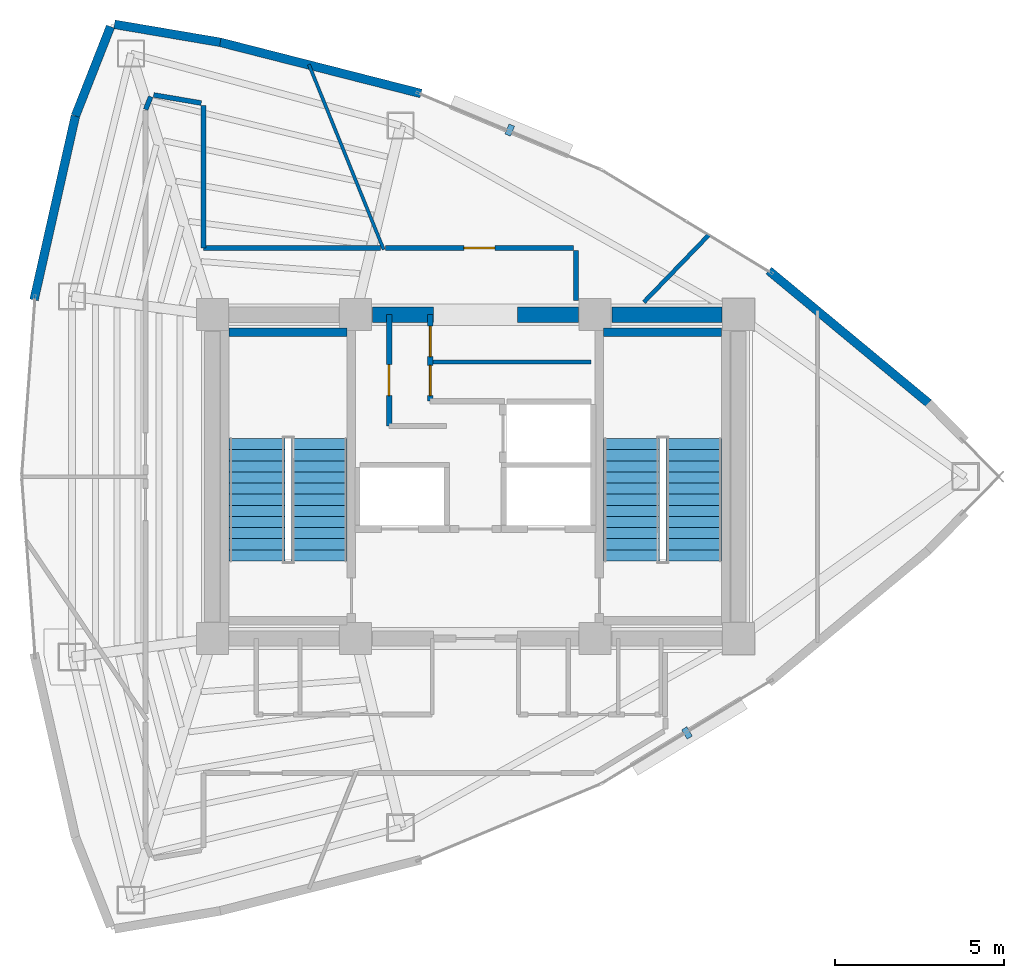
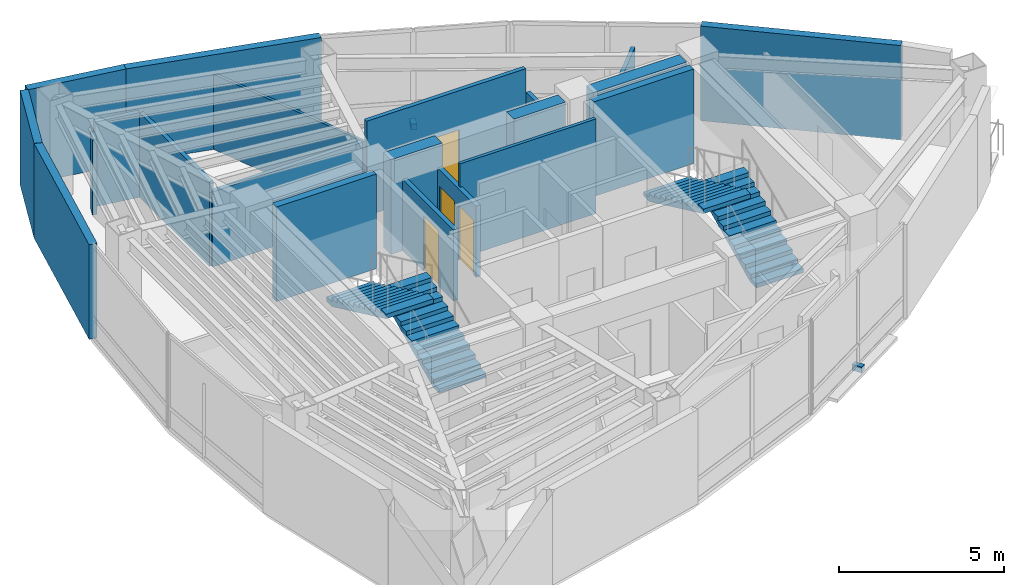
# One storey, part 13 of 15: 21 walls, 4 doors, 4 stair flights, 2 discrete accessories, 4 openings, 2 elements without a shape of their own.
"""IFC4 building model written with IfcOpenShell, lengths in metres."""

from ifc_helpers import new_model, si_unit, direction, frame, frame_2d, origin, origin_2d, place, context, subcontext, project, spatial, polyline, rectangle, outline, extrude, material, layer, layer_set, type_object, element, fill, aggregate, save


model = new_model("IFC4")

# Units and contexts
model_context = context("Model", 3, precision=1e-05, world=origin(), true_north=direction((0.0, 1.0)))
body_context = subcontext(model_context, "Body", "Model", "MODEL_VIEW")
ifc_project = project(units=[si_unit("LENGTHUNIT", "METRE"), si_unit("AREAUNIT", "SQUARE_METRE"), si_unit("VOLUMEUNIT", "CUBIC_METRE"), si_unit("PLANEANGLEUNIT", "RADIAN"), si_unit("MASSUNIT", "GRAM", prefix="KILO")], contexts=[model_context])

# Site, building, storey
site_placement = place(None, origin())
site = spatial("IfcSite", under=ifc_project, at=site_placement, CompositionType="ELEMENT")
building_placement = place(site_placement, origin())
building = spatial("IfcBuilding", under=site, at=building_placement, Name="Menara Vayukalpa", CompositionType="ELEMENT")
storey_placement = place(building_placement, frame((0.0, 0.0, 265.739990234375)))
storey = spatial("IfcBuildingStorey", under=building, at=storey_placement, Name="L67", CompositionType="ELEMENT", Elevation=265.739990234375)

# Walls
ifc_material_1 = material(Name="Concrete C50/60", Category="concrete")
ifc_layer_1 = layer(ifc_material_1, 0.449951171875)
ifc_layer_set_1 = layer_set([ifc_layer_1], Name="Concrete C50/60")
wall_type_1 = type_object("IfcWallType", Name="WAL-CW450", PredefinedType="SHEAR", material=ifc_layer_set_1)
wall_1_placement = place(storey_placement, frame((22.544921875, 26.800048828125, 0.0), z_axis=(0.0, 0.0, 1.0), x_axis=(1.0, 0.0, 0.0)))
element("IfcWall", 1, at=wall_1_placement, inside=storey, type_object=wall_type_1, Name="L67 Buttressed Core Shear Wall CWN2", PredefinedType="SHEAR", context=body_context, shape_type="SweptSolid", body=[
    extrude(rectangle(XDim=1.80517578125, YDim=0.449951171875, at=frame_2d((0.902587890625, 0.0))), origin(), (0.0, 0.0, 1.0), 3.5),
])
wall_2_placement = place(storey_placement, frame((26.85009765625, 26.800048828125, 0.0), z_axis=(0.0, 0.0, 1.0), x_axis=(1.0, 0.0, 0.0)))
element("IfcWall", 2, at=wall_2_placement, inside=storey, type_object=wall_type_1, Name="L67 Buttressed Core Shear Wall CWN3", PredefinedType="SHEAR", context=body_context, shape_type="SweptSolid", body=[
    extrude(rectangle(XDim=1.804931640625, YDim=0.449951171875, at=frame_2d((0.90234375, 0.0))), origin(), (0.0, 0.0, 1.0), 3.5),
])
wall_3_placement = place(storey_placement, frame((29.64501953125, 26.800048828125, 0.0), z_axis=(0.0, 0.0, 1.0), x_axis=(1.0, 0.0, 0.0)))
element("IfcWall", 3, at=wall_3_placement, inside=storey, type_object=wall_type_1, Name="L67 Buttressed Core Shear Wall CWN4", PredefinedType="SHEAR", context=body_context, shape_type="SweptSolid", body=[
    extrude(rectangle(XDim=3.260009765625, YDim=0.449951171875, at=frame_2d((1.6298828125, 0.0))), origin(), (0.0, 0.0, 1.0), 3.5),
])
ifc_material_2 = material(Name="Insulated Precast Concrete C40/50", Category="concrete")
ifc_layer_2 = layer(ifc_material_2, 0.260009765625)
ifc_layer_set_2 = layer_set([ifc_layer_2], Name="Insulated Precast Concrete C40/50")
wall_type_2 = type_object("IfcWallType", Name="WAL-EXT260", PredefinedType="PARTITIONING", material=ifc_layer_set_2)
wall_4_placement = place(storey_placement, frame((34.295166015625, 28.1083984375, 0.0), z_axis=(0.0, 0.0, 1.0), x_axis=(0.769779830138, -0.638309496337, 0.0)))
element("IfcWall", 4, at=wall_4_placement, inside=storey, type_object=wall_type_2, Name="L67 Perimeter Terracotta Pier Wall 03", PredefinedType="PARTITIONING", context=body_context, shape_type="SweptSolid", body=[
    extrude(rectangle(XDim=6.154052734375, YDim=0.260009765625, at=frame_2d((3.0771484375, 0.0))), origin(), (0.0, 0.0, 1.0), 3.5),
])
wall_5_placement = place(storey_placement, frame((18.0244140625, 34.878662109375, 0.0), z_axis=(0.0, 0.0, 1.0), x_axis=(0.968988278672, -0.247106689096, 0.0)))
element("IfcWall", 5, at=wall_5_placement, inside=storey, type_object=wall_type_2, Name="L67 Perimeter Terracotta Pier Wall 06", PredefinedType="PARTITIONING", context=body_context, shape_type="SweptSolid", body=[
    extrude(rectangle(XDim=6.154296875, YDim=0.260009765625, at=frame_2d((3.0771484375, 0.0))), origin(), (0.0, 0.0, 1.0), 3.5),
])
wall_6_placement = place(storey_placement, frame((14.900146484375, 35.40869140625, 0.0), z_axis=(0.0, 0.0, 1.0), x_axis=(0.985889432766, -0.167397808709, 0.0)))
element("IfcWall", 6, at=wall_6_placement, inside=storey, type_object=wall_type_2, Name="L67 Perimeter Terracotta Pier Wall 07", PredefinedType="PARTITIONING", context=body_context, shape_type="SweptSolid", body=[
    extrude(rectangle(XDim=3.180908203125, YDim=0.260009765625, at=frame_2d((1.59033203125, 0.0))), origin(), (0.0, 0.0, 1.0), 3.5),
])
wall_7_placement = place(storey_placement, frame((13.741943359375, 32.693359375, 0.0), z_axis=(0.0, 0.0, 1.0), x_axis=(0.36559927932, 0.930772349697, 0.0)))
element("IfcWall", 7, at=wall_7_placement, inside=storey, type_object=wall_type_2, Name="L67 Perimeter Terracotta Pier Wall 08", PredefinedType="PARTITIONING", context=body_context, shape_type="SweptSolid", body=[
    extrude(rectangle(XDim=2.845458984375, YDim=0.260009765625, at=frame_2d((1.4228515625, 0.0))), origin(), (0.0, 0.0, 1.0), 3.5),
])
wall_8_placement = place(storey_placement, frame((12.514892578125, 27.239501953125, 0.0), z_axis=(0.0, 0.0, 1.0), x_axis=(0.219500763731, 0.97561232809, 0.0)))
element("IfcWall", 8, at=wall_8_placement, inside=storey, type_object=wall_type_2, Name="L67 Perimeter Terracotta Pier Wall 09", PredefinedType="PARTITIONING", context=body_context, shape_type="SweptSolid", body=[
    extrude(rectangle(XDim=5.590087890625, YDim=0.260009765625, at=frame_2d((2.794921875, 0.0))), origin(), (0.0, 0.0, 1.0), 3.5),
])

# Wall, opening, door
ifc_material_3 = material(Name="Lightweight Concrete Blockwork C16/20", Category="masonry")
ifc_layer_3 = layer(ifc_material_3, 0.159912109375)
ifc_layer_set_3 = layer_set([ifc_layer_3], Name="Lightweight Concrete Blockwork C16/20")
wall_type_3 = type_object("IfcWallType", Name="WAL-FR150", PredefinedType="PARTITIONING", material=ifc_layer_set_3)
wall_9_placement = place(storey_placement, frame((23.0400390625, 23.5, 0.0), z_axis=(0.0, 0.0, 1.0), x_axis=(0.0, 1.0, 0.0)))
wall_9 = element("IfcWall", 9, at=wall_9_placement, inside=storey, type_object=wall_type_3, Name="L67 Interior Partition IW-L67-LV7WB", PredefinedType="PARTITIONING", context=body_context, shape_type="SweptSolid", body=[
    extrude(rectangle(XDim=3.300048828125, YDim=0.159912109375, at=frame_2d((1.64990234375, 0.0))), origin(), (0.0, 0.0, 1.0), 2.630126953125),
])
opening_1_placement = place(wall_9_placement, frame((0.89990234375, 0.0, 0.0)))
opening_1 = element("IfcOpeningElement", 10, at=opening_1_placement, cuts=wall_9, Name="Opening ID6", PredefinedType="OPENING", context=body_context, shape_type="SweptSolid", body=[
    extrude(rectangle(XDim=0.919921875, YDim=2.050048828125, at=frame_2d((0.4599609375, 1.02490234375))), frame((0.0, 0.08984375, 0.0), z_axis=(0.0, -1.0, 0.0), x_axis=(1.0, 0.0, 0.0)), (0.0, 0.0, 1.0), 0.179931640625),
])
ifc_material_4 = material(Name="Acoustic Hardwood Veneer Timber Door", Category="wood")
door_type_1 = type_object("IfcDoorType", Name="DR-INT92", OperationType="NOTDEFINED", PredefinedType="DOOR", material=ifc_material_4)
door_1_placement = place(opening_1_placement, origin())
door_1 = element("IfcDoor", 11, at=door_1_placement, inside=storey, type_object=door_type_1, Name="L67 Interior Door DR-L67-LV7W", OperationType="SINGLE_SWING_RIGHT", OverallHeight=2.050048828125, OverallWidth=0.919921875, PredefinedType="DOOR", context=body_context, shape_type="SweptSolid", body=[
    extrude(rectangle(XDim=0.919921875, YDim=2.050048828125, at=frame_2d((0.4599609375, 1.02490234375))), frame((0.0, 0.02490234375, 0.0), z_axis=(0.0, -1.0, 0.0), x_axis=(1.0, 0.0, 0.0)), (0.0, 0.0, 1.0), 0.050048828125),
])
fill(opening_1, door_1)

# Wall, openings, doors
wall_10_placement = place(storey_placement, frame((24.260009765625, 24.239990234375, 0.0), z_axis=(0.0, 0.0, 1.0), x_axis=(0.0, 1.0, 0.0)))
wall_10 = element("IfcWall", 12, at=wall_10_placement, inside=storey, type_object=wall_type_3, Name="L67 Interior Partition IW-L67-LV7EB", PredefinedType="PARTITIONING", context=body_context, shape_type="SweptSolid", body=[
    extrude(rectangle(XDim=2.56005859375, YDim=0.159912109375, at=frame_2d((1.280029296875, 0.0))), origin(), (0.0, 0.0, 1.0), 2.630126953125),
])
opening_2_placement = place(wall_10_placement, frame((0.159912109375, 0.0, 0.0)))
opening_2 = element("IfcOpeningElement", 13, at=opening_2_placement, cuts=wall_10, Name="Opening ID7", PredefinedType="OPENING", context=body_context, shape_type="SweptSolid", body=[
    extrude(rectangle(XDim=0.89990234375, YDim=2.02001953125, at=frame_2d((0.449951171875, 1.010009765625))), frame((0.0, 0.08984375, 0.0), z_axis=(0.0, -1.0, 0.0), x_axis=(1.0, 0.0, 0.0)), (0.0, 0.0, 1.0), 0.179931640625),
])
opening_3_placement = place(wall_10_placement, frame((1.320068359375, 0.0, 0.0)))
opening_3 = element("IfcOpeningElement", 14, at=opening_3_placement, cuts=wall_10, Name="Opening ID7", PredefinedType="OPENING", context=body_context, shape_type="SweptSolid", body=[
    extrude(rectangle(XDim=0.89990234375, YDim=2.02001953125, at=frame_2d((0.449951171875, 1.010009765625))), frame((0.0, 0.08984375, 0.0), z_axis=(0.0, -1.0, 0.0), x_axis=(1.0, 0.0, 0.0)), (0.0, 0.0, 1.0), 0.179931640625),
])
ifc_material_5 = material(Name="Powder-Coated Steel Riser Access Door", Category="steel")
door_type_2 = type_object("IfcDoorType", Name="DR-RISER", OperationType="NOTDEFINED", PredefinedType="DOOR", material=ifc_material_5)
door_2_placement = place(opening_2_placement, origin())
door_2 = element("IfcDoor", 15, at=door_2_placement, inside=storey, type_object=door_type_2, Name="L67 Interior Door DR-L67-LV7E1", OperationType="SINGLE_SWING_LEFT", OverallHeight=2.02001953125, OverallWidth=0.89990234375, PredefinedType="DOOR", context=body_context, shape_type="SweptSolid", body=[
    extrude(rectangle(XDim=0.89990234375, YDim=2.02001953125, at=frame_2d((0.449951171875, 1.010009765625))), frame((0.0, 0.02490234375, 0.0), z_axis=(0.0, -1.0, 0.0), x_axis=(1.0, 0.0, 0.0)), (0.0, 0.0, 1.0), 0.050048828125),
])
fill(opening_2, door_2)
door_3_placement = place(opening_3_placement, origin())
door_3 = element("IfcDoor", 16, at=door_3_placement, inside=storey, type_object=door_type_2, Name="L67 Interior Door DR-L67-LV7E2", OperationType="SINGLE_SWING_RIGHT", OverallHeight=2.02001953125, OverallWidth=0.89990234375, PredefinedType="DOOR", context=body_context, shape_type="SweptSolid", body=[
    extrude(rectangle(XDim=0.89990234375, YDim=2.02001953125, at=frame_2d((0.449951171875, 1.010009765625))), frame((0.0, 0.02490234375, 0.0), z_axis=(0.0, -1.0, 0.0), x_axis=(1.0, 0.0, 0.0)), (0.0, 0.0, 1.0), 0.050048828125),
])
fill(opening_3, door_3)

# Walls
ifc_material_6 = material(Name="Glazed Demountable Office Partition", Category="glass")
ifc_layer_4 = layer(ifc_material_6, 0.094970703125)
ifc_layer_set_4 = layer_set([ifc_layer_4], Name="Glazed Demountable Office Partition")
wall_type_4 = type_object("IfcWallType", Name="WAL-PT100", PredefinedType="PARTITIONING", material=ifc_layer_set_4)
wall_11_placement = place(storey_placement, frame((22.880859375, 28.72998046875, 0.0), z_axis=(0.0, 0.0, 1.0), x_axis=(-0.374589946081, 0.927190580353, 0.0)))
element("IfcWall", 17, at=wall_11_placement, inside=storey, type_object=wall_type_4, Name="L67 Interior Partition IW-L67-RDIV02", PredefinedType="PARTITIONING", context=body_context, shape_type="SweptSolid", body=[
    extrude(rectangle(XDim=5.91650390625, YDim=0.094970703125, at=frame_2d((2.958251953125, 0.0))), origin(), (0.0, 0.0, 1.0), 2.780029296875),
])
ifc_material_7 = material(Name="Acoustic Mineral Stud Partition", Category="masonry")
ifc_layer_5 = layer(ifc_material_7, 0.110107421875)
ifc_layer_set_5 = layer_set([ifc_layer_5], Name="Acoustic Mineral Stud Partition")
wall_type_5 = type_object("IfcWallType", Name="WAL-PT110", PredefinedType="PARTITIONING", material=ifc_layer_set_5)
wall_12_placement = place(storey_placement, frame((24.260009765625, 25.39990234375, 0.0), z_axis=(0.0, 0.0, 1.0), x_axis=(1.0, 0.0, 0.0)))
element("IfcWall", 18, at=wall_12_placement, inside=storey, type_object=wall_type_5, Name="L67 Interior Partition IW-L67-LV7EM", PredefinedType="PARTITIONING", context=body_context, shape_type="SweptSolid", body=[
    extrude(rectangle(XDim=4.760009765625, YDim=0.110107421875, at=frame_2d((2.3798828125, 0.0))), origin(), (0.0, 0.0, 1.0), 3.5),
])
ifc_material_8 = material(Name="Gypsum Drywall Steel Stud Assembly", Category="steel")
ifc_layer_6 = layer(ifc_material_8, 0.125)
ifc_layer_set_6 = layer_set([ifc_layer_6], Name="Gypsum Drywall Steel Stud Assembly")
wall_type_6 = type_object("IfcWallType", Name="WAL-PT125", PredefinedType="PARTITIONING", material=ifc_layer_set_6)
wall_13_placement = place(storey_placement, frame((30.592529296875, 27.169921875, 0.0), z_axis=(0.0, 0.0, 1.0), x_axis=(0.694647663232, 0.719350140033, 0.0)))
element("IfcWall", 19, at=wall_13_placement, inside=storey, type_object=wall_type_6, Name="L67 Interior Partition IW-L67-RDIV01", PredefinedType="PARTITIONING", context=body_context, shape_type="SweptSolid", body=[
    extrude(rectangle(XDim=2.787109375, YDim=0.125, at=frame_2d((1.3935546875, 0.0))), origin(), (0.0, 0.0, 1.0), 2.630126953125),
])
ifc_material_9 = material(Name="Gypsum Drywall Acoustic Stud Assembly", Category="masonry")
ifc_layer_7 = layer(ifc_material_9, 0.14501953125)
ifc_layer_set_7 = layer_set([ifc_layer_7], Name="Gypsum Drywall Acoustic Stud Assembly")
wall_type_7 = type_object("IfcWallType", Name="WAL-PT150", PredefinedType="PARTITIONING", material=ifc_layer_set_7)
wall_14_placement = place(storey_placement, frame((28.580078125, 27.219970703125, 0.0), z_axis=(0.0, 0.0, 1.0), x_axis=(0.0, 1.0, 0.0)))
element("IfcWall", 20, at=wall_14_placement, inside=storey, type_object=wall_type_7, Name="L67 Interior Partition IW-L67-CRM06-1", PredefinedType="PARTITIONING", context=body_context, shape_type="SweptSolid", body=[
    extrude(rectangle(XDim=1.47998046875, YDim=0.14501953125, at=frame_2d((0.739990234375, 0.0))), origin(), (0.0, 0.0, 1.0), 2.630126953125),
])

# Wall, opening, door
wall_15_placement = place(storey_placement, frame((28.5, 28.780029296875, 0.0), z_axis=(0.0, 0.0, 1.0), x_axis=(-1.0, 0.0, 0.0)))
wall_15 = element("IfcWall", 21, at=wall_15_placement, inside=storey, type_object=wall_type_7, Name="L67 Interior Partition IW-L67-CRM06-2", PredefinedType="PARTITIONING", context=body_context, shape_type="SweptSolid", body=[
    extrude(rectangle(XDim=5.563720703125, YDim=0.14501953125, at=frame_2d((2.78173828125, 0.0))), origin(), (0.0, 0.0, 1.0), 3.5),
])
opening_4_placement = place(wall_15_placement, frame((2.322021484375, 0.0, 0.0)))
opening_4 = element("IfcOpeningElement", 22, at=opening_4_placement, cuts=wall_15, Name="Opening ID6", PredefinedType="OPENING", context=body_context, shape_type="SweptSolid", body=[
    extrude(rectangle(XDim=0.919921875, YDim=2.050048828125, at=frame_2d((0.4599609375, 1.02490234375))), frame((0.0, 0.08251953125, 0.0), z_axis=(0.0, -1.0, 0.0), x_axis=(1.0, 0.0, 0.0)), (0.0, 0.0, 1.0), 0.1650390625),
])
door_4_placement = place(opening_4_placement, origin())
door_4 = element("IfcDoor", 23, at=door_4_placement, inside=storey, type_object=door_type_1, Name="L67 Interior Door DR-L67-RM06", OperationType="SINGLE_SWING_LEFT", OverallHeight=2.050048828125, OverallWidth=0.919921875, PredefinedType="DOOR", context=body_context, shape_type="SweptSolid", body=[
    extrude(rectangle(XDim=0.919921875, YDim=2.050048828125, at=frame_2d((0.4599609375, 1.02490234375))), frame((0.0, 0.02490234375, 0.0), z_axis=(0.0, -1.0, 0.0), x_axis=(1.0, 0.0, 0.0)), (0.0, 0.0, 1.0), 0.050048828125),
])
fill(opening_4, door_4)

# Walls
wall_16_placement = place(storey_placement, frame((22.78515625, 28.780029296875, 0.0), z_axis=(0.0, 0.0, 1.0), x_axis=(-1.0, 0.0, 0.0)))
element("IfcWall", 24, at=wall_16_placement, inside=storey, type_object=wall_type_7, Name="L67 Interior Partition IW-L67-CRM07-1", PredefinedType="PARTITIONING", context=body_context, shape_type="SweptSolid", body=[
    extrude(rectangle(XDim=5.2451171875, YDim=0.14501953125, at=frame_2d((2.62255859375, 0.0))), origin(), (0.0, 0.0, 1.0), 2.780029296875),
])
wall_17_placement = place(storey_placement, frame((17.5400390625, 28.780029296875, 0.0), z_axis=(0.0, 0.0, 1.0), x_axis=(0.0, 1.0, 0.0)))
element("IfcWall", 25, at=wall_17_placement, inside=storey, type_object=wall_type_7, Name="L67 Interior Partition IW-L67-CRM07-2", PredefinedType="PARTITIONING", context=body_context, shape_type="SweptSolid", body=[
    extrude(rectangle(XDim=4.216064453125, YDim=0.14501953125, at=frame_2d((2.10791015625, 0.0))), origin(), (0.0, 0.0, 1.0), 3.130126953125),
])
wall_18_placement = place(storey_placement, frame((17.473388671875, 33.074951171875, 0.0), z_axis=(0.0, 0.0, 1.0), x_axis=(-0.985881780308, 0.167442871621, 0.0)))
element("IfcWall", 26, at=wall_18_placement, inside=storey, type_object=wall_type_7, Name="L67 Interior Partition IW-L67-CRM07-3", PredefinedType="PARTITIONING", context=body_context, shape_type="SweptSolid", body=[
    extrude(rectangle(XDim=1.430419921875, YDim=0.14501953125, at=frame_2d((0.71533203125, 0.0))), origin(), (0.0, 0.0, 1.0), 3.130126953125),
])
wall_19_placement = place(storey_placement, frame((15.975341796875, 33.2646484375, 0.0), z_axis=(0.0, 0.0, 1.0), x_axis=(-0.365633948196, -0.930758731319, 0.0)))
element("IfcWall", 27, at=wall_19_placement, inside=storey, type_object=wall_type_7, Name="L67 Interior Partition IW-L67-CRM07-4", PredefinedType="PARTITIONING", context=body_context, shape_type="SweptSolid", body=[
    extrude(rectangle(XDim=0.409912109375, YDim=0.14501953125, at=frame_2d((0.205078125, 0.0))), origin(), (0.0, 0.0, 1.0), 2.780029296875),
])
ifc_material_10 = material(Name="Concrete C50/60", Category="concrete")
ifc_layer_8 = layer(ifc_material_10, 0.25)
ifc_layer_set_8 = layer_set([ifc_layer_8], Name="Concrete C50/60")
wall_type_8 = type_object("IfcWallType", Name="WAL-SW250", PredefinedType="SHEAR", material=ifc_layer_set_8)
for number, where, z_axis, x_axis, name in (
    (28, (18.300048828125, 26.27490234375, 0.0), (0.0, 0.0, 1.0), (1.0, 0.0, 0.0), "L67 ST1 Structural Stair Shaft Wall N"),
    (29, (29.39990234375, 26.27490234375, 0.0), (0.0, 0.0, 1.0), (1.0, 0.0, 0.0), "L67 ST2 Structural Stair Shaft Wall N"),
):
    element("IfcWall", number, at=place(storey_placement, frame(where, z_axis=z_axis, x_axis=x_axis)), inside=storey, type_object=wall_type_8, Name=name, PredefinedType="SHEAR", context=body_context, shape_type="SweptSolid", body=[
        extrude(rectangle(XDim=3.5, YDim=0.25, at=frame_2d((1.75, 0.0))), origin(), (0.0, 0.0, 1.0), 3.5),
    ])

# Stair, stair flights
ifc_material_11 = material(Name="Precast Concrete C40/50", Category="concrete")
stair_type = type_object("IfcStairType", Name="STR-T04", PredefinedType="DOUBLE_RETURN_STAIR", material=ifc_material_11)
stair_1_placement = place(storey_placement, origin())
stair_1 = element("IfcStair", 30, at=stair_1_placement, inside=storey, type_object=stair_type, Name="L67 Core Exit Stair ST-1", PredefinedType="DOUBLE_RETURN_STAIR")
ifc_material_12 = material(Name="Precast Concrete C40/50", Category="concrete")
stair_flight_type = type_object("IfcStairFlightType", Name="STF-T04", PredefinedType="STRAIGHT", material=ifc_material_12)
stair_flight_1_placement = place(storey_placement, frame((20.97509765625, 19.5, 0.0), z_axis=(0.0, 0.0, 1.0), x_axis=(0.0, 1.0, 0.0)))
stair_flight_1 = element("IfcStairFlight", 31, at=stair_flight_1_placement, type_object=stair_flight_type, Name="ST-1 flight 1", NumberOfRisers=12, NumberOfTreads=11, PredefinedType="STRAIGHT", RiserHeight=0.155, TreadLength=0.33, context=body_context, shape_type="SweptSolid", body=[
    extrude(outline(polyline([(0.0, 0.0), (0.0, 0.155029296875), (0.330078125, 0.155029296875), (0.330078125, 0.31005859375), (0.659912109375, 0.31005859375), (0.659912109375, 0.465087890625), (0.989990234375, 0.465087890625), (0.989990234375, 0.6201171875), (1.320068359375, 0.6201171875), (1.320068359375, 0.77490234375), (1.64990234375, 0.77490234375), (1.64990234375, 0.929931640625), (1.97998046875, 0.929931640625), (1.97998046875, 1.0849609375), (2.31005859375, 1.0849609375), (2.31005859375, 1.239990234375), (2.639892578125, 1.239990234375), (2.639892578125, 1.39501953125), (2.969970703125, 1.39501953125), (2.969970703125, 1.550048828125), (3.300048828125, 1.550048828125), (3.300048828125, 1.705078125), (3.6298828125, 1.705078125), (3.6298828125, 1.860107421875), (3.6298828125, 1.539306640625), (0.3525390625, 0.0), (0.0, 0.0)])), frame((0.0, 0.824951171875, 0.0), z_axis=(0.0, -1.0, 0.0), x_axis=(1.0, 0.0, 0.0)), (0.0, 0.0, 1.0), 1.64990234375),
])
stair_flight_2_placement = place(storey_placement, frame((19.125, 23.1298828125, 1.860107421875), z_axis=(0.0, 0.0, 1.0), x_axis=(0.0, -1.0, 0.0)))
stair_flight_2 = element("IfcStairFlight", 32, at=stair_flight_2_placement, type_object=stair_flight_type, Name="ST-1 flight 2", NumberOfRisers=12, NumberOfTreads=11, PredefinedType="STRAIGHT", RiserHeight=0.155, TreadLength=0.33, context=body_context, shape_type="SweptSolid", body=[
    extrude(outline(polyline([(0.0, 0.0), (0.0, 0.155029296875), (0.330078125, 0.155029296875), (0.330078125, 0.31005859375), (0.659912109375, 0.31005859375), (0.659912109375, 0.465087890625), (0.989990234375, 0.465087890625), (0.989990234375, 0.6201171875), (1.320068359375, 0.6201171875), (1.320068359375, 0.77490234375), (1.64990234375, 0.77490234375), (1.64990234375, 0.929931640625), (1.97998046875, 0.929931640625), (1.97998046875, 1.0849609375), (2.31005859375, 1.0849609375), (2.31005859375, 1.239990234375), (2.639892578125, 1.239990234375), (2.639892578125, 1.39501953125), (2.969970703125, 1.39501953125), (2.969970703125, 1.550048828125), (3.300048828125, 1.550048828125), (3.300048828125, 1.705078125), (3.6298828125, 1.705078125), (3.6298828125, 1.860107421875), (3.6298828125, 1.539306640625), (0.3525390625, 0.0), (0.0, 0.0)])), frame((0.0, 0.824951171875, 0.0), z_axis=(0.0, -1.0, 0.0), x_axis=(1.0, 0.0, 0.0)), (0.0, 0.0, 1.0), 1.64990234375),
])
aggregate(stair_1, [stair_flight_1, stair_flight_2])

stair_2_placement = place(storey_placement, origin())
stair_2 = element("IfcStair", 33, at=stair_2_placement, inside=storey, type_object=stair_type, Name="L67 Core Exit Stair ST-2", PredefinedType="DOUBLE_RETURN_STAIR")
stair_flight_3_placement = place(storey_placement, frame((32.074951171875, 19.5, 0.0), z_axis=(0.0, 0.0, 1.0), x_axis=(0.0, 1.0, 0.0)))
stair_flight_3 = element("IfcStairFlight", 34, at=stair_flight_3_placement, type_object=stair_flight_type, Name="ST-2 flight 1", NumberOfRisers=12, NumberOfTreads=11, PredefinedType="STRAIGHT", RiserHeight=0.155, TreadLength=0.33, context=body_context, shape_type="SweptSolid", body=[
    extrude(outline(polyline([(0.0, 0.0), (0.0, 0.155029296875), (0.330078125, 0.155029296875), (0.330078125, 0.31005859375), (0.659912109375, 0.31005859375), (0.659912109375, 0.465087890625), (0.989990234375, 0.465087890625), (0.989990234375, 0.6201171875), (1.320068359375, 0.6201171875), (1.320068359375, 0.77490234375), (1.64990234375, 0.77490234375), (1.64990234375, 0.929931640625), (1.97998046875, 0.929931640625), (1.97998046875, 1.0849609375), (2.31005859375, 1.0849609375), (2.31005859375, 1.239990234375), (2.639892578125, 1.239990234375), (2.639892578125, 1.39501953125), (2.969970703125, 1.39501953125), (2.969970703125, 1.550048828125), (3.300048828125, 1.550048828125), (3.300048828125, 1.705078125), (3.6298828125, 1.705078125), (3.6298828125, 1.860107421875), (3.6298828125, 1.539306640625), (0.3525390625, 0.0), (0.0, 0.0)])), frame((0.0, 0.824951171875, 0.0), z_axis=(0.0, -1.0, 0.0), x_axis=(1.0, 0.0, 0.0)), (0.0, 0.0, 1.0), 1.64990234375),
])
stair_flight_4_placement = place(storey_placement, frame((30.22509765625, 23.1298828125, 1.860107421875), z_axis=(0.0, 0.0, 1.0), x_axis=(0.0, -1.0, 0.0)))
stair_flight_4 = element("IfcStairFlight", 35, at=stair_flight_4_placement, type_object=stair_flight_type, Name="ST-2 flight 2", NumberOfRisers=12, NumberOfTreads=11, PredefinedType="STRAIGHT", RiserHeight=0.155, TreadLength=0.33, context=body_context, shape_type="SweptSolid", body=[
    extrude(outline(polyline([(0.0, 0.0), (0.0, 0.155029296875), (0.330078125, 0.155029296875), (0.330078125, 0.31005859375), (0.659912109375, 0.31005859375), (0.659912109375, 0.465087890625), (0.989990234375, 0.465087890625), (0.989990234375, 0.6201171875), (1.320068359375, 0.6201171875), (1.320068359375, 0.77490234375), (1.64990234375, 0.77490234375), (1.64990234375, 0.929931640625), (1.97998046875, 0.929931640625), (1.97998046875, 1.0849609375), (2.31005859375, 1.0849609375), (2.31005859375, 1.239990234375), (2.639892578125, 1.239990234375), (2.639892578125, 1.39501953125), (2.969970703125, 1.39501953125), (2.969970703125, 1.550048828125), (3.300048828125, 1.550048828125), (3.300048828125, 1.705078125), (3.6298828125, 1.705078125), (3.6298828125, 1.860107421875), (3.6298828125, 1.539306640625), (0.3525390625, 0.0), (0.0, 0.0)])), frame((0.0, 0.824951171875, 0.0), z_axis=(0.0, -1.0, 0.0), x_axis=(1.0, 0.0, 0.0)), (0.0, 0.0, 1.0), 1.64990234375),
])
aggregate(stair_2, [stair_flight_3, stair_flight_4])

# Discrete accessories
ifc_material_13 = material(Name="Stainless Steel 316 Sunshade Bracket", Category="steel")
discrete_accessory_type = type_object("IfcDiscreteAccessoryType", Name="ACC-BRK1", PredefinedType="BRACKET", material=ifc_material_13)
for number, where, z_axis, x_axis, name in (
    (36, (26.61767578125, 32.272705078125, -0.16015625), (0.0, 0.0, 1.0), (-0.922538089456, 0.385906042324, 0.0), "L67 Terracotta Sunshade Bracket 05"),
    (37, (31.87109375, 14.402587890625, -0.16015625), (0.0, 0.0, 1.0), (0.85466730962, 0.519176068272, 0.0), "L67 Terracotta Sunshade Bracket 17"),
):
    element("IfcDiscreteAccessory", number, at=place(storey_placement, frame(where, z_axis=z_axis, x_axis=x_axis)), inside=storey, type_object=discrete_accessory_type, Name=name, PredefinedType="BRACKET", context=body_context, shape_type="SweptSolid", body=[
        extrude(rectangle(XDim=0.179931640625, YDim=0.320068359375, at=origin_2d()), origin(), (0.0, 0.0, 1.0), 0.219970703125),
    ])

save(model, "model.ifc")
